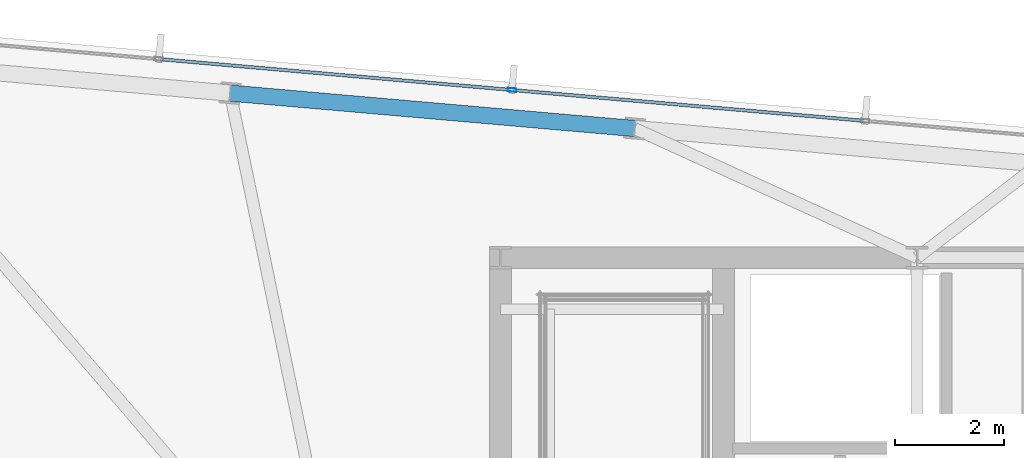
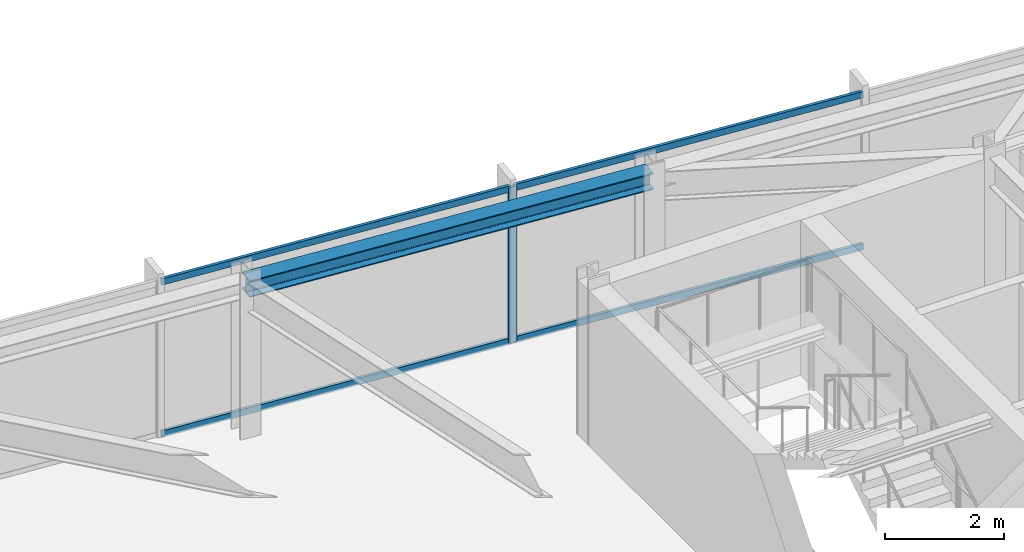
# One storey, part 24 of 32: 5 members, 1 beam, 1 element without a shape of its own.
"""IFC4 building model written with IfcOpenShell, lengths in metres."""

from ifc_helpers import new_model, si_unit, direction, frame, origin, origin_2d, place, context, subcontext, project, spatial, hollow_rectangle, i_section, extrude, material, material_profile, profile_set, type_object, element, aggregate, save


model = new_model("IFC4")

# Units and contexts
model_context = context("Model", 3, precision=1e-05, world=origin(), true_north=direction((0.0, 1.0)))
body_context = subcontext(model_context, "Body", "Model", "MODEL_VIEW")
ifc_project = project(units=[si_unit("LENGTHUNIT", "METRE"), si_unit("AREAUNIT", "SQUARE_METRE"), si_unit("VOLUMEUNIT", "CUBIC_METRE"), si_unit("PLANEANGLEUNIT", "RADIAN"), si_unit("MASSUNIT", "GRAM", prefix="KILO")], contexts=[model_context])

# Site, building, storey
site_placement = place(None, origin())
site = spatial("IfcSite", under=ifc_project, at=site_placement, CompositionType="ELEMENT")
building_placement = place(site_placement, origin())
building = spatial("IfcBuilding", under=site, at=building_placement, Name="Yelkora Congress Tower", CompositionType="ELEMENT")
storey_placement = place(building_placement, frame((0.0, 0.0, 269.300048828125)))
storey = spatial("IfcBuildingStorey", under=building, at=storey_placement, Name="L75", CompositionType="ELEMENT", Elevation=269.300048828125)

# Beam
ifc_material_1 = material(Name="Steel S355J2", Category="steel")
ifc_material_profile_1 = material_profile(ifc_material_1, i_section(OverallWidth=0.300048828125, OverallDepth=0.340087890625, WebThickness=0.011962890625, FlangeThickness=0.021484375, FilletRadius=0.027099609375, at=origin_2d()), Name="HEB 340")
ifc_profile_set_1 = profile_set([ifc_material_profile_1], Name="Steel S355J2")
beam_type = type_object("IfcBeamType", Name="BM-SPAN-HEB340", PredefinedType="SPANDREL", material=ifc_profile_set_1)
beam_placement = place(storey_placement, frame((25.513916015625, 48.57958984375, 3.010009765625), z_axis=(-0.996196266663, 0.087137812034, 0.0), x_axis=(-0.087137812034, -0.996196266663, 0.0)))
element("IfcBeam", 1, at=beam_placement, inside=storey, type_object=beam_type, Name="L75 Perimeter Beam 11", PredefinedType="SPANDREL", context=body_context, shape_type="SweptSolid", body=[
    extrude(i_section(OverallWidth=0.300048828125, OverallDepth=0.340087890625, WebThickness=0.011962890625, FlangeThickness=0.021484375, FilletRadius=0.027099609375, at=origin_2d()), origin(), (0.0, 0.0, 1.0), 7.483642578125),
])

# Curtain wall, members
ifc_material_2 = material(Name="Anodised aluminium and insulated glass", Category="aluminium")
curtain_wall_type = type_object("IfcCurtainWallType", Name="CW-SYS-B5", PredefinedType="NOTDEFINED", material=ifc_material_2)
curtain_wall_placement = place(storey_placement, origin())
curtain_wall = element("IfcCurtainWall", 2, at=curtain_wall_placement, inside=storey, type_object=curtain_wall_type, Name="L75 Unitised Curtain Wall 10", PredefinedType="NOTDEFINED")
ifc_material_3 = material(Name="Anodised aluminium 6063-T6", Category="aluminium")
ifc_material_profile_2 = material_profile(ifc_material_3, hollow_rectangle(XDim=0.06494140625, YDim=0.159912109375, WallThickness=0.00390625, at=origin_2d()), Name="ALU 65x160x4")
ifc_profile_set_2 = profile_set([ifc_material_profile_2], Name="Anodised aluminium 6063-T6")
member_type_1 = type_object("IfcMemberType", Name="MEM-ML-B5", PredefinedType="MULLION", material=ifc_profile_set_2)
member_1_placement = place(storey_placement, frame((23.253173828125, 49.289306640625, 0.0), z_axis=(0.0, 0.0, 1.0), x_axis=(0.087156639893, 0.996194619601, 0.0)))
member_1 = element("IfcMember", 3, at=member_1_placement, type_object=member_type_1, Name="CW-B5 mullion 3", PredefinedType="MULLION", context=body_context, shape_type="SweptSolid", body=[
    extrude(hollow_rectangle(XDim=0.06494140625, YDim=0.159912109375, WallThickness=0.00390625, at=origin_2d()), origin(), (0.0, 0.0, 1.0), 3.179931640625),
])
ifc_material_profile_3 = material_profile(ifc_material_3, hollow_rectangle(XDim=0.06005859375, YDim=0.1298828125, WallThickness=0.00390625, at=origin_2d()), Name="ALU 60x130x4")
ifc_profile_set_3 = profile_set([ifc_material_profile_3], Name="Anodised aluminium 6063-T6")
member_type_2 = type_object("IfcMemberType", Name="MEM-TR-B5", PredefinedType="USERDEFINED", material=ifc_profile_set_3)
member_2_placement = place(storey_placement, frame((16.779052734375, 49.855712890625, 0.030029296875), z_axis=(0.996195971174, -0.087141190126, 0.0), x_axis=(0.087141190126, 0.996195971174, 0.0)))
member_2 = element("IfcMember", 4, at=member_2_placement, type_object=member_type_2, Name="CW-B5 transom 2.1", ObjectType="TRANSOM", PredefinedType="USERDEFINED", context=body_context, shape_type="SweptSolid", body=[
    extrude(hollow_rectangle(XDim=0.06005859375, YDim=0.1298828125, WallThickness=0.00390625, at=origin_2d()), origin(), (0.0, 0.0, 1.0), 6.46630859375),
])
member_3_placement = place(storey_placement, frame((16.779052734375, 49.855712890625, 3.14990234375), z_axis=(0.996195971174, -0.087141190126, 0.0), x_axis=(0.087141190126, 0.996195971174, 0.0)))
member_3 = element("IfcMember", 5, at=member_3_placement, type_object=member_type_2, Name="CW-B5 transom 2.2", ObjectType="TRANSOM", PredefinedType="USERDEFINED", context=body_context, shape_type="SweptSolid", body=[
    extrude(hollow_rectangle(XDim=0.06005859375, YDim=0.1298828125, WallThickness=0.00390625, at=origin_2d()), origin(), (0.0, 0.0, 1.0), 6.46630859375),
])
member_4_placement = place(storey_placement, frame((23.285400390625, 49.286376953125, 0.030029296875), z_axis=(0.996196257862, -0.087137912649, 0.0), x_axis=(0.087137912649, 0.996196257862, 0.0)))
member_4 = element("IfcMember", 6, at=member_4_placement, type_object=member_type_2, Name="CW-B5 transom 3.1", ObjectType="TRANSOM", PredefinedType="USERDEFINED", context=body_context, shape_type="SweptSolid", body=[
    extrude(hollow_rectangle(XDim=0.06005859375, YDim=0.1298828125, WallThickness=0.00390625, at=origin_2d()), origin(), (0.0, 0.0, 1.0), 6.466552734375),
])
member_5_placement = place(storey_placement, frame((23.285400390625, 49.286376953125, 3.14990234375), z_axis=(0.996196257862, -0.087137912649, 0.0), x_axis=(0.087137912649, 0.996196257862, 0.0)))
member_5 = element("IfcMember", 7, at=member_5_placement, type_object=member_type_2, Name="CW-B5 transom 3.2", ObjectType="TRANSOM", PredefinedType="USERDEFINED", context=body_context, shape_type="SweptSolid", body=[
    extrude(hollow_rectangle(XDim=0.06005859375, YDim=0.1298828125, WallThickness=0.00390625, at=origin_2d()), origin(), (0.0, 0.0, 1.0), 6.466552734375),
])
aggregate(curtain_wall, [member_1, member_2, member_3, member_4, member_5])

save(model, "model.ifc")
